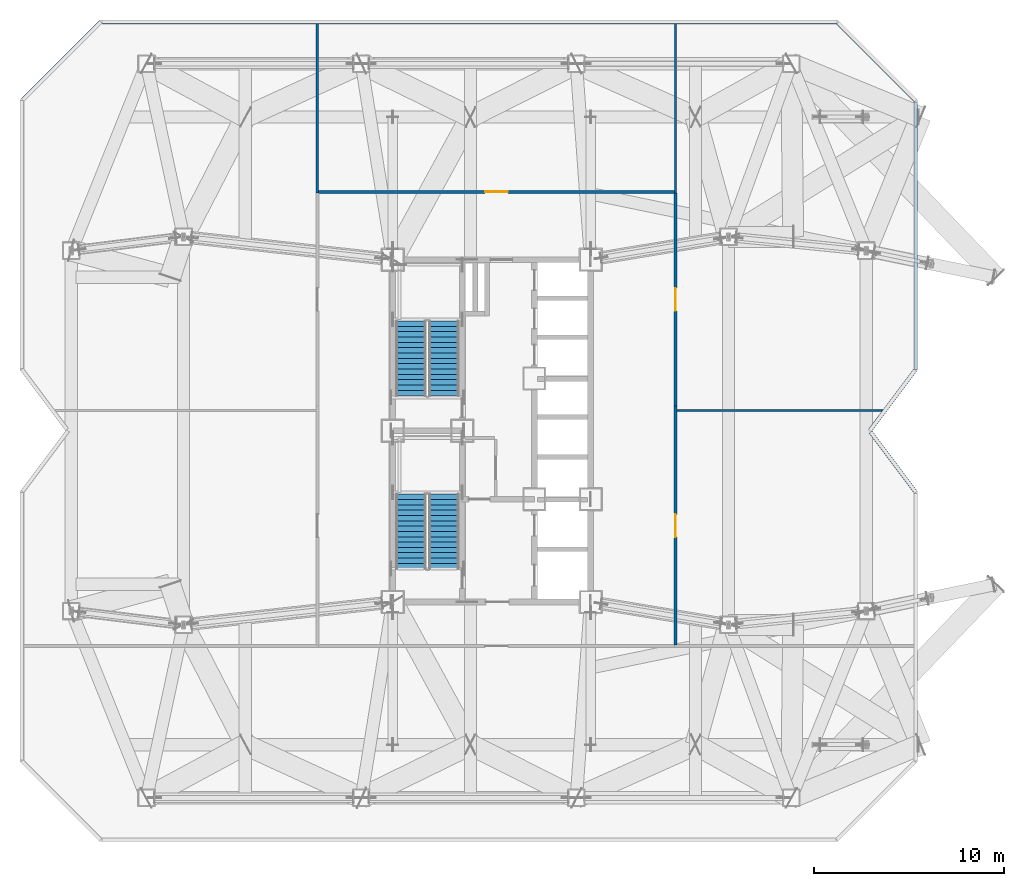
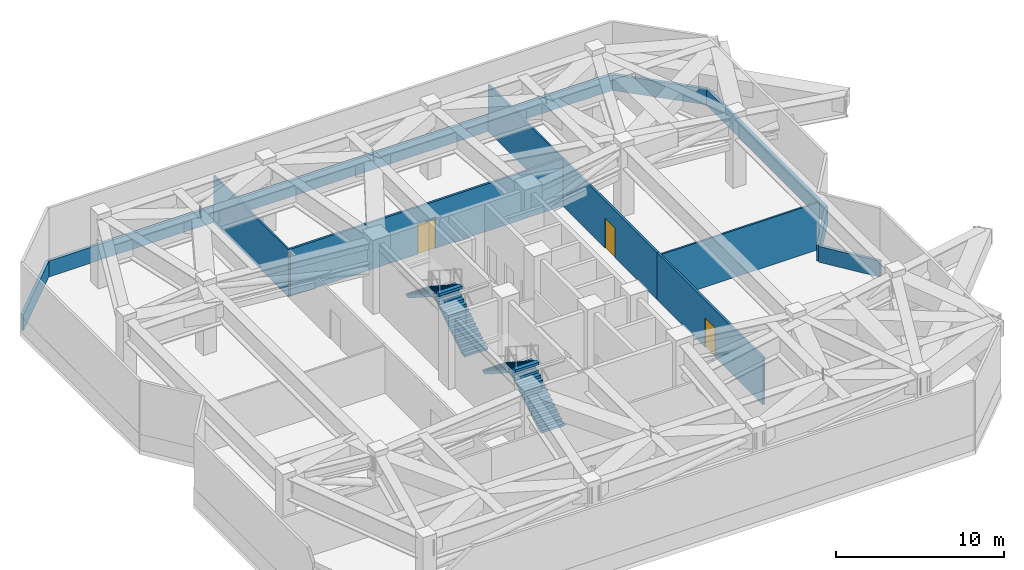
# One storey, part 16 of 19: 12 walls, 4 stair flights, 3 doors, 3 openings, 2 elements without a shape of their own.
"""IFC4 building model written with IfcOpenShell, lengths in metres."""

import ifcopenshell
import ifcopenshell.guid

model = None  # the IFC model being written
_history = None  # IfcOwnerHistory: only IFC2X3 demands one
_inside = {}  # id of a spatial element -> (the spatial element, [elements in it])
_under = {}  # id of a project, library or spatial element -> (it, [spatial elements below it])
_declared = {}  # id of a project -> (the project, [libraries it declares])
_typed = {}  # id of a type object -> (the type object, [elements of that type])
_made_of = {}  # id of a material, layer set ... -> (it, [elements and type objects made of it])


def new_model(schema):
    """Start an empty IFC model of exactly this schema.

    Asked for "IFC4X3", IfcOpenShell would pick the latest addendum, in which some entities
    have other attributes; the version numbers below select the first issue.
    IFC2X3 requires an IfcOwnerHistory on every rooted entity: one is made here for all.
    """
    global model, _history
    if schema == "IFC4X3":
        model = ifcopenshell.file(schema_version=(4, 3, 0, 0))
    else:
        model = ifcopenshell.file(schema=schema)
    _inside.clear()
    _under.clear()
    _declared.clear()
    _typed.clear()
    _made_of.clear()
    _history = None
    if model.schema == "IFC2X3":
        org = make("IfcOrganization", Name="unknown")
        user = make(
            "IfcPersonAndOrganization",
            ThePerson=make("IfcPerson", FamilyName="unknown"),
            TheOrganization=org,
        )
        app = make(
            "IfcApplication",
            ApplicationDeveloper=org,
            Version="unknown",
            ApplicationFullName="unknown",
            ApplicationIdentifier="unknown",
        )
        _history = make(
            "IfcOwnerHistory",
            OwningUser=user,
            OwningApplication=app,
            ChangeAction="ADDED",
            CreationDate=0,
        )
    return model


def make(cls, **values):
    """One entity of the class cls with the attributes given. An attribute that is None is left unset."""
    return model.create_entity(
        cls, **{name: value for name, value in values.items() if value is not None}
    )


def rooted(cls, **values):
    """An entity with a GlobalId (a new one), such as an element, a storey or a relation."""
    return make(cls, GlobalId=ifcopenshell.guid.new(), OwnerHistory=_history, **values)


def si_unit(unit_type, name, prefix=None):
    """IfcSIUnit, for example si_unit("LENGTHUNIT", "METRE", prefix="MILLI")."""
    return make("IfcSIUnit", UnitType=unit_type, Prefix=prefix, Name=name)


def assignment(units):
    """IfcUnitAssignment: the units of a project."""
    return None if units is None else make("IfcUnitAssignment", Units=units)


def point(xyz):
    """IfcCartesianPoint."""
    return None if xyz is None else make("IfcCartesianPoint", Coordinates=xyz)


def direction(xyz):
    """IfcDirection."""
    return None if xyz is None else make("IfcDirection", DirectionRatios=xyz)


def frame(location, z_axis=None, x_axis=None):
    """IfcAxis2Placement3D, a coordinate frame: its origin and axes. An axis left out is left unset."""
    return make(
        "IfcAxis2Placement3D",
        Location=point(location),
        Axis=direction(z_axis),
        RefDirection=direction(x_axis),
    )


def frame_2d(location, x_axis=None):
    """IfcAxis2Placement2D, a coordinate frame in the plane: its origin and x axis."""
    return make(
        "IfcAxis2Placement2D", Location=point(location), RefDirection=direction(x_axis)
    )


def origin():
    """The frame at (0, 0, 0) with its axes left unset."""
    return frame((0.0, 0.0, 0.0))


def place(relative_to, where):
    """IfcLocalPlacement: puts the frame where relative to a parent placement (None: the world)."""
    return make(
        "IfcLocalPlacement", PlacementRelTo=relative_to, RelativePlacement=where
    )


def context(
    kind, dimensions, precision=None, world=None, true_north=None, identifier=None
):
    """IfcGeometricRepresentationContext, for example the 3D "Model" context."""
    return make(
        "IfcGeometricRepresentationContext",
        ContextIdentifier=identifier,
        ContextType=kind,
        CoordinateSpaceDimension=dimensions,
        Precision=precision,
        WorldCoordinateSystem=world,
        TrueNorth=true_north,
    )


def subcontext(parent, identifier, kind, view, scale=None):
    """IfcGeometricRepresentationSubContext, for example "Body" below "Model"."""
    return make(
        "IfcGeometricRepresentationSubContext",
        ContextIdentifier=identifier,
        ContextType=kind,
        ParentContext=parent,
        TargetScale=scale,
        TargetView=view,
    )


def project(units=None, contexts=None):
    """IfcProject with its units and contexts."""
    return rooted(
        "IfcProject",
        Name="project",
        RepresentationContexts=contexts,
        UnitsInContext=assignment(units),
    )


def spatial(cls, under=None, at=None, **own):
    """A site, building, storey or space (cls), placed at a placement, below another one or the project."""
    s = rooted(cls, ObjectPlacement=at, **own)
    if under is not None:
        _under.setdefault(under.id(), (under, []))[1].append(s)
    return s


def polyline(points):
    """IfcPolyline through the points."""
    return make("IfcPolyline", Points=[point(p) for p in points])


def profile(cls, at=None, kind="AREA", **sizes):
    """A parametric profile (cls). Its sizes go by their IFC names, for example OverallWidth=200.0."""
    return make(cls, ProfileType=kind, Position=at, **sizes)


def rectangle(**sizes):
    """IfcRectangleProfileDef."""
    return profile("IfcRectangleProfileDef", **sizes)


def outline(outer, holes=None, kind="AREA"):
    """IfcArbitraryClosedProfileDef: a profile drawn as a closed curve; with holes, ...WithVoids."""
    if holes is None:
        return make("IfcArbitraryClosedProfileDef", ProfileType=kind, OuterCurve=outer)
    return make(
        "IfcArbitraryProfileDefWithVoids",
        ProfileType=kind,
        OuterCurve=outer,
        InnerCurves=holes,
    )


def extrude(swept, where, along, depth):
    """IfcExtrudedAreaSolid: the profile swept, set in the frame where, extruded along a direction by depth."""
    return make(
        "IfcExtrudedAreaSolid",
        SweptArea=swept,
        Position=where,
        ExtrudedDirection=direction(along),
        Depth=depth,
    )


def shape(context_of_items, identifier, shape_type, items):
    """IfcShapeRepresentation: the items that make up one representation, for example the "Body"."""
    return make(
        "IfcShapeRepresentation",
        ContextOfItems=context_of_items,
        RepresentationIdentifier=identifier,
        RepresentationType=shape_type,
        Items=items,
    )


def material(Name=None, Category=None):
    """IfcMaterial."""
    return make("IfcMaterial", Name=Name, Category=Category)


def layer(
    of_material, thickness, ventilated=None, Name=None, Category=None, Priority=None
):
    """IfcMaterialLayer: one layer of a wall or slab, of a material (None: an air gap)."""
    return make(
        "IfcMaterialLayer",
        Material=of_material,
        LayerThickness=thickness,
        IsVentilated=ventilated,
        Name=Name,
        Category=Category,
        Priority=Priority,
    )


def layer_set(layers, Name=None):
    """IfcMaterialLayerSet."""
    return make("IfcMaterialLayerSet", MaterialLayers=layers, LayerSetName=Name)


def made_of(thing, what):
    """Note that an element or type object is made of a material, layer set ...; save() writes the relation."""
    if what is not None:
        _made_of.setdefault(what.id(), (what, []))[1].append(thing)
    return thing


def type_object(cls, material=None, **own):
    """A type object (cls), such as IfcWallType, which elements share."""
    return made_of(rooted(cls, **own), material)


def element(
    cls,
    number,
    at=None,
    inside=None,
    cuts=None,
    type_object=None,
    material=None,
    context=None,
    identifier="Body",
    shape_type=None,
    held_by="IfcProductDefinitionShape",
    body=None,
    shapes=None,
    **own,
):
    """One element of the class cls, such as IfcWall. Its Tag is "e" and its number.

    at: its placement. inside: the storey or other place that contains it. cuts: it is an
    opening in that element (IfcRelVoidsElement). A single representation is given by context,
    identifier, shape_type and body (its items); several are given by shapes. held_by: the class
    of the entity that holds the representations. save() writes the other relations.
    """
    e = rooted(cls, Tag="e%d" % number, ObjectPlacement=at, **own)
    if body is not None:
        shapes = [shape(context, identifier, shape_type, body)]
    if shapes is not None:
        e.Representation = make(held_by, Representations=shapes)
    if inside is not None:
        _inside.setdefault(inside.id(), (inside, []))[1].append(e)
    if cuts is not None:
        rooted(
            "IfcRelVoidsElement", RelatingBuildingElement=cuts, RelatedOpeningElement=e
        )
    if type_object is not None:
        _typed.setdefault(type_object.id(), (type_object, []))[1].append(e)
    return made_of(e, material)


def fill(opening, filler):
    """IfcRelFillsElement: the door or window that sits in an opening."""
    return rooted(
        "IfcRelFillsElement",
        RelatingOpeningElement=opening,
        RelatedBuildingElement=filler,
    )


def aggregate(whole, parts):
    """IfcRelAggregates: a whole, such as a stair, and the parts it consists of."""
    return rooted("IfcRelAggregates", RelatingObject=whole, RelatedObjects=parts)


def save(model, path):
    """Write the relations noted so far, then the file.

    IfcRelAggregates (storeys below a building ...), IfcRelContainedInSpatialStructure (elements
    in a storey), IfcRelDefinesByType, IfcRelAssociatesMaterial and IfcRelDeclares: one each for
    every whole, place, type object, material and project.
    """
    for whole, parts in _under.values():
        aggregate(whole, parts)
    for where, things in _inside.values():
        rooted(
            "IfcRelContainedInSpatialStructure",
            RelatedElements=things,
            RelatingStructure=where,
        )
    for kind, things in _typed.values():
        rooted("IfcRelDefinesByType", RelatedObjects=things, RelatingType=kind)
    for what, things in _made_of.values():
        rooted("IfcRelAssociatesMaterial", RelatedObjects=things, RelatingMaterial=what)
    for by, libraries in _declared.values():
        rooted("IfcRelDeclares", RelatingContext=by, RelatedDefinitions=libraries)
    model.write(path)


model = new_model("IFC4")

# Units and contexts
model_context = context("Model", 3, precision=1e-05, world=origin(), true_north=direction((0.0, 1.0)))
body_context = subcontext(model_context, "Body", "Model", "MODEL_VIEW")
ifc_project = project(units=[si_unit("LENGTHUNIT", "METRE"), si_unit("AREAUNIT", "SQUARE_METRE"), si_unit("VOLUMEUNIT", "CUBIC_METRE"), si_unit("PLANEANGLEUNIT", "RADIAN"), si_unit("MASSUNIT", "GRAM", prefix="KILO")], contexts=[model_context])

# Site, building, storey
site_placement = place(None, origin())
site = spatial("IfcSite", under=ifc_project, at=site_placement, CompositionType="ELEMENT")
building_placement = place(site_placement, origin())
building = spatial("IfcBuilding", under=site, at=building_placement, Name="Khamvora Tower", CompositionType="ELEMENT")
storey_placement = place(building_placement, frame((0.0, 0.0, 150.5)))
storey = spatial("IfcBuildingStorey", under=building, at=storey_placement, Name="L38", CompositionType="ELEMENT", Elevation=150.5)

# Wall, opening, door
ifc_material_1 = material(Name="Fire-Rated Drywall and Steel Stud", Category="steel")
ifc_layer_1 = layer(ifc_material_1, 0.14990234375)
ifc_layer_set_1 = layer_set([ifc_layer_1], Name="Fire-Rated Drywall and Steel Stud")
wall_type_1 = type_object("IfcWallType", Name="WAL-CORR-150", PredefinedType="STANDARD", material=ifc_layer_set_1)
wall_1_placement = place(storey_placement, frame((43.864990234375, 29.31396484375, 0.0), z_axis=(0.0, 0.0, 1.0), x_axis=(0.0, -1.0, 0.0)))
wall_1 = element("IfcWall", 1, at=wall_1_placement, inside=storey, type_object=wall_type_1, Name="L38 interior partition wall 006", PredefinedType="STANDARD", context=body_context, shape_type="SweptSolid", body=[
    extrude(rectangle(XDim=12.56396484375, YDim=0.14990234375, at=frame_2d((6.281982421875, 0.0))), origin(), (0.0, 0.0, 1.0), 3.419921875),
])
opening_1_placement = place(wall_1_placement, frame((5.702880859375, 0.0, 0.0)))
opening_1 = element("IfcOpeningElement", 2, at=opening_1_placement, cuts=wall_1, Name="Opening D-PL1", PredefinedType="OPENING", context=body_context, shape_type="SweptSolid", body=[
    extrude(rectangle(XDim=1.199951171875, YDim=2.14990234375, at=frame_2d((0.60009765625, 1.074951171875))), frame((0.0, 0.0849609375, 0.0), z_axis=(0.0, -1.0, 0.0), x_axis=(1.0, 0.0, 0.0)), (0.0, 0.0, 1.0), 0.169921875),
])
ifc_material_2 = material(Name="Powder-Coated Steel and Hardwood Leaf", Category="steel")
door_type = type_object("IfcDoorType", Name="DOR-PLNT-1200", OperationType="NOTDEFINED", PredefinedType="DOOR", material=ifc_material_2)
door_1_placement = place(opening_1_placement, origin())
door_1 = element("IfcDoor", 3, at=door_1_placement, inside=storey, type_object=door_type, Name="L38 interior door PCOR-CHL", OperationType="SINGLE_SWING_RIGHT", OverallHeight=2.14990234375, OverallWidth=1.199951171875, PredefinedType="DOOR", context=body_context, shape_type="SweptSolid", body=[
    extrude(rectangle(XDim=1.199951171875, YDim=2.14990234375, at=frame_2d((0.60009765625, 1.074951171875))), frame((0.0, 0.02490234375, 0.0), z_axis=(0.0, -1.0, 0.0), x_axis=(1.0, 0.0, 0.0)), (0.0, 0.0, 1.0), 0.050048828125),
])
fill(opening_1, door_1)

wall_2_placement = place(storey_placement, frame((43.864990234375, 40.5, 0.0), z_axis=(0.0, 0.0, 1.0), x_axis=(0.0, -1.0, 0.0)))
wall_2 = element("IfcWall", 4, at=wall_2_placement, inside=storey, type_object=wall_type_1, Name="L38 interior partition wall 007", PredefinedType="STANDARD", context=body_context, shape_type="SweptSolid", body=[
    extrude(rectangle(XDim=11.18603515625, YDim=0.14990234375, at=frame_2d((5.593017578125, 0.0))), origin(), (0.0, 0.0, 1.0), 3.419921875),
])
opening_2_placement = place(wall_2_placement, frame((4.992919921875, 0.0, 0.0)))
opening_2 = element("IfcOpeningElement", 5, at=opening_2_placement, cuts=wall_2, Name="Opening D-PL1", PredefinedType="OPENING", context=body_context, shape_type="SweptSolid", body=[
    extrude(rectangle(XDim=1.199951171875, YDim=2.14990234375, at=frame_2d((0.60009765625, 1.074951171875))), frame((0.0, 0.0849609375, 0.0), z_axis=(0.0, -1.0, 0.0), x_axis=(1.0, 0.0, 0.0)), (0.0, 0.0, 1.0), 0.169921875),
])
door_2_placement = place(opening_2_placement, origin())
door_2 = element("IfcDoor", 6, at=door_2_placement, inside=storey, type_object=door_type, Name="L38 interior door PCOR-ELP", OperationType="SINGLE_SWING_LEFT", OverallHeight=2.14990234375, OverallWidth=1.199951171875, PredefinedType="DOOR", context=body_context, shape_type="SweptSolid", body=[
    extrude(rectangle(XDim=1.199951171875, YDim=2.14990234375, at=frame_2d((0.60009765625, 1.074951171875))), frame((0.0, 0.02490234375, 0.0), z_axis=(0.0, -1.0, 0.0), x_axis=(1.0, 0.0, 0.0)), (0.0, 0.0, 1.0), 0.050048828125),
])
fill(opening_2, door_2)

wall_3_placement = place(storey_placement, frame((25.10009765625, 40.56494140625, 0.0), z_axis=(0.0, 0.0, 1.0), x_axis=(1.0, 0.0, 0.0)))
wall_3 = element("IfcWall", 7, at=wall_3_placement, inside=storey, type_object=wall_type_1, Name="L38 interior partition wall 008", PredefinedType="STANDARD", context=body_context, shape_type="SweptSolid", body=[
    extrude(rectangle(XDim=18.699951171875, YDim=0.14990234375, at=frame_2d((9.35009765625, 0.0))), origin(), (0.0, 0.0, 1.0), 3.419921875),
])
opening_3_placement = place(wall_3_placement, frame((8.75, 0.0, 0.0)))
opening_3 = element("IfcOpeningElement", 8, at=opening_3_placement, cuts=wall_3, Name="Opening D-PL1", PredefinedType="OPENING", context=body_context, shape_type="SweptSolid", body=[
    extrude(rectangle(XDim=1.199951171875, YDim=2.14990234375, at=frame_2d((0.60009765625, 1.074951171875))), frame((0.0, 0.0849609375, 0.0), z_axis=(0.0, -1.0, 0.0), x_axis=(1.0, 0.0, 0.0)), (0.0, 0.0, 1.0), 0.169921875),
])
door_3_placement = place(opening_3_placement, origin())
door_3 = element("IfcDoor", 9, at=door_3_placement, inside=storey, type_object=door_type, Name="L38 interior door PCOR-BMS", OperationType="SINGLE_SWING_RIGHT", OverallHeight=2.14990234375, OverallWidth=1.199951171875, PredefinedType="DOOR", context=body_context, shape_type="SweptSolid", body=[
    extrude(rectangle(XDim=1.199951171875, YDim=2.14990234375, at=frame_2d((0.60009765625, 1.074951171875))), frame((0.0, 0.02490234375, 0.0), z_axis=(0.0, -1.0, 0.0), x_axis=(1.0, 0.0, 0.0)), (0.0, 0.0, 1.0), 0.050048828125),
])
fill(opening_3, door_3)

# Walls
ifc_material_3 = material(Name="Precast concrete C40/50", Category="concrete")
ifc_layer_2 = layer(ifc_material_3, 0.199951171875)
ifc_layer_set_2 = layer_set([ifc_layer_2], Name="Precast concrete C40/50")
wall_type_2 = type_object("IfcWallType", Name="WAL-EXT-200", PredefinedType="STANDARD", material=ifc_layer_set_2)
wall_4_placement = place(storey_placement, frame((9.5439453125, 45.403076171875, 0.0), z_axis=(0.0, 0.0, 1.0), x_axis=(0.707127848917, 0.707085712828, 0.0)))
element("IfcWall", 10, at=wall_4_placement, inside=storey, type_object=wall_type_2, Name="L38 plant perimeter spandrel wall 06.1", PredefinedType="STANDARD", context=body_context, shape_type="SweptSolid", body=[
    extrude(rectangle(XDim=5.794189453125, YDim=0.199951171875, at=frame_2d((2.89697265625, 0.0))), origin(), (0.0, 0.0, 1.0), 1.14990234375),
])
wall_5_placement = place(storey_placement, frame((13.701904296875, 49.5, 0.0), z_axis=(0.0, 0.0, 1.0), x_axis=(1.0, 0.0, 0.0)))
element("IfcWall", 11, at=wall_5_placement, inside=storey, type_object=wall_type_2, Name="L38 plant perimeter spandrel wall 07.1", PredefinedType="STANDARD", context=body_context, shape_type="SweptSolid", body=[
    extrude(rectangle(XDim=38.656982421875, YDim=0.199951171875, at=frame_2d((19.32861328125, 0.0))), origin(), (0.0, 0.0, 1.0), 1.14990234375),
])
wall_6_placement = place(storey_placement, frame((52.404052734375, 49.455078125, 0.0), z_axis=(0.0, 0.0, 1.0), x_axis=(0.707085707805, -0.70712785394, 0.0)))
element("IfcWall", 12, at=wall_6_placement, inside=storey, type_object=wall_type_2, Name="L38 plant perimeter spandrel wall 08.1", PredefinedType="STANDARD", context=body_context, shape_type="SweptSolid", body=[
    extrude(rectangle(XDim=5.792724609375, YDim=0.199951171875, at=frame_2d((2.896484375, 0.0))), origin(), (0.0, 0.0, 1.0), 1.14990234375),
])
wall_7_placement = place(storey_placement, frame((56.5, 45.2958984375, 0.0), z_axis=(0.0, 0.0, 1.0), x_axis=(0.0, -1.0, 0.0)))
element("IfcWall", 13, at=wall_7_placement, inside=storey, type_object=wall_type_2, Name="L38 plant perimeter spandrel wall 09.1", PredefinedType="STANDARD", context=body_context, shape_type="SweptSolid", body=[
    extrude(rectangle(XDim=14.06298828125, YDim=0.199951171875, at=frame_2d((7.031494140625, 0.0))), origin(), (0.0, 0.0, 1.0), 1.14990234375),
])
wall_8_placement = place(storey_placement, frame((56.468994140625, 31.19091796875, 0.0), z_axis=(0.0, 0.0, 1.0), x_axis=(-0.600137081448, -0.799897170561, 0.0)))
element("IfcWall", 14, at=wall_8_placement, inside=storey, type_object=wall_type_2, Name="L38 plant perimeter spandrel wall 10.1", PredefinedType="STANDARD", context=body_context, shape_type="SweptSolid", body=[
    extrude(rectangle(XDim=3.9892578125, YDim=0.199951171875, at=frame_2d((1.99462890625, 0.0))), origin(), (0.0, 0.0, 1.0), 1.14990234375),
])
wall_9_placement = place(storey_placement, frame((54.126953125, 27.930908203125, 0.0), z_axis=(0.0, 0.0, 1.0), x_axis=(0.600029630681, -0.799977776132, 0.0)))
element("IfcWall", 15, at=wall_9_placement, inside=storey, type_object=wall_type_2, Name="L38 plant perimeter spandrel wall 11.1", PredefinedType="STANDARD", context=body_context, shape_type="SweptSolid", body=[
    extrude(rectangle(XDim=3.954833984375, YDim=0.199951171875, at=frame_2d((1.9775390625, 0.0))), origin(), (0.0, 0.0, 1.0), 1.14990234375),
])
ifc_material_4 = material(Name="Gypsum Plasterboard Partition", Category="gypsum")
ifc_layer_3 = layer(ifc_material_4, 0.1201171875)
ifc_layer_set_3 = layer_set([ifc_layer_3], Name="Gypsum Plasterboard Partition")
wall_type_3 = type_object("IfcWallType", Name="WAL-PART-120", PredefinedType="PARTITIONING", material=ifc_layer_set_3)
wall_10_placement = place(storey_placement, frame((25.034912109375, 49.407958984375, 0.0), z_axis=(0.0, 0.0, 1.0), x_axis=(0.0, -1.0, 0.0)))
element("IfcWall", 16, at=wall_10_placement, inside=storey, type_object=wall_type_3, Name="L38 interior partition wall 012", PredefinedType="PARTITIONING", context=body_context, shape_type="SweptSolid", body=[
    extrude(rectangle(XDim=8.907958984375, YDim=0.1201171875, at=frame_2d((4.4541015625, 0.0))), origin(), (0.0, 0.0, 1.0), 3.419921875),
])
wall_11_placement = place(storey_placement, frame((43.931884765625, 29.06494140625, 0.0), z_axis=(0.0, 0.0, 1.0), x_axis=(1.0, 0.0, 0.0)))
element("IfcWall", 17, at=wall_11_placement, inside=storey, type_object=wall_type_3, Name="L38 interior partition wall 013", PredefinedType="PARTITIONING", context=body_context, shape_type="SweptSolid", body=[
    extrude(rectangle(XDim=10.838134765625, YDim=0.1201171875, at=frame_2d((5.4189453125, 0.0))), origin(), (0.0, 0.0, 1.0), 3.419921875),
])
wall_12_placement = place(storey_placement, frame((43.864990234375, 40.5, 0.0), z_axis=(0.0, 0.0, 1.0), x_axis=(0.0, 1.0, 0.0)))
element("IfcWall", 18, at=wall_12_placement, inside=storey, type_object=wall_type_3, Name="L38 interior partition wall 014", PredefinedType="PARTITIONING", context=body_context, shape_type="SweptSolid", body=[
    extrude(rectangle(XDim=8.907958984375, YDim=0.1201171875, at=frame_2d((4.4541015625, 0.0))), origin(), (0.0, 0.0, 1.0), 3.419921875),
])

# Stair, stair flights
ifc_material_5 = material(Name="Concrete C40/50", Category="concrete")
stair_type_1 = type_object("IfcStairType", Name="STR-ST-01", PredefinedType="HALF_TURN_STAIR", material=ifc_material_5)
stair_1_placement = place(storey_placement, origin())
stair_1 = element("IfcStair", 19, at=stair_1_placement, inside=storey, type_object=stair_type_1, Name="L38 South Tower Exit Stair ST-01", PredefinedType="HALF_TURN_STAIR")
stair_flight_type_1 = type_object("IfcStairFlightType", Name="STF-ST-01", PredefinedType="STRAIGHT", material=ifc_material_5)
stair_flight_1_placement = place(storey_placement, frame((31.699951171875, 20.75, 0.0), z_axis=(0.0, 0.0, 1.0), x_axis=(0.0, 1.0, 0.0)))
stair_flight_1 = element("IfcStairFlight", 20, at=stair_flight_1_placement, type_object=stair_flight_type_1, Name="ST-01 flight 1", NumberOfRisers=15, NumberOfTreads=14, PredefinedType="STRAIGHT", RiserHeight=0.18, TreadLength=0.28, context=body_context, shape_type="SweptSolid", body=[
    extrude(outline(polyline([(0.0, 0.0), (0.0, 0.179931640625), (0.280029296875, 0.179931640625), (0.280029296875, 0.360107421875), (0.56005859375, 0.360107421875), (0.56005859375, 0.5400390625), (0.840087890625, 0.5400390625), (0.840087890625, 0.719970703125), (1.1201171875, 0.719970703125), (1.1201171875, 0.89990234375), (1.39990234375, 0.89990234375), (1.39990234375, 1.080078125), (1.679931640625, 1.080078125), (1.679931640625, 1.260009765625), (1.9599609375, 1.260009765625), (1.9599609375, 1.43994140625), (2.239990234375, 1.43994140625), (2.239990234375, 1.6201171875), (2.52001953125, 1.6201171875), (2.52001953125, 1.800048828125), (2.800048828125, 1.800048828125), (2.800048828125, 1.97998046875), (3.080078125, 1.97998046875), (3.080078125, 2.159912109375), (3.360107421875, 2.159912109375), (3.360107421875, 2.340087890625), (3.639892578125, 2.340087890625), (3.639892578125, 2.52001953125), (3.919921875, 2.52001953125), (3.919921875, 2.699951171875), (3.919921875, 2.341796875), (0.277099609375, 0.0), (0.0, 0.0)])), frame((0.0, 0.800048828125, 0.0), z_axis=(0.0, -1.0, 0.0), x_axis=(1.0, 0.0, 0.0)), (0.0, 0.0, 1.0), 1.60009765625),
])
stair_flight_2_placement = place(storey_placement, frame((29.949951171875, 24.669921875, 2.699951171875), z_axis=(0.0, 0.0, 1.0), x_axis=(0.0, -1.0, 0.0)))
stair_flight_2 = element("IfcStairFlight", 21, at=stair_flight_2_placement, type_object=stair_flight_type_1, Name="ST-01 flight 2", NumberOfRisers=15, NumberOfTreads=14, PredefinedType="STRAIGHT", RiserHeight=0.18, TreadLength=0.28, context=body_context, shape_type="SweptSolid", body=[
    extrude(outline(polyline([(0.0, 0.0), (0.0, 0.179931640625), (0.280029296875, 0.179931640625), (0.280029296875, 0.360107421875), (0.56005859375, 0.360107421875), (0.56005859375, 0.5400390625), (0.840087890625, 0.5400390625), (0.840087890625, 0.719970703125), (1.1201171875, 0.719970703125), (1.1201171875, 0.89990234375), (1.39990234375, 0.89990234375), (1.39990234375, 1.080078125), (1.679931640625, 1.080078125), (1.679931640625, 1.260009765625), (1.9599609375, 1.260009765625), (1.9599609375, 1.43994140625), (2.239990234375, 1.43994140625), (2.239990234375, 1.6201171875), (2.52001953125, 1.6201171875), (2.52001953125, 1.800048828125), (2.800048828125, 1.800048828125), (2.800048828125, 1.97998046875), (3.080078125, 1.97998046875), (3.080078125, 2.159912109375), (3.360107421875, 2.159912109375), (3.360107421875, 2.340087890625), (3.639892578125, 2.340087890625), (3.639892578125, 2.52001953125), (3.919921875, 2.52001953125), (3.919921875, 2.699951171875), (3.919921875, 2.341796875), (0.277099609375, 0.0), (0.0, 0.0)])), frame((0.0, 0.800048828125, 0.0), z_axis=(0.0, -1.0, 0.0), x_axis=(1.0, 0.0, 0.0)), (0.0, 0.0, 1.0), 1.60009765625),
])
aggregate(stair_1, [stair_flight_1, stair_flight_2])

stair_type_2 = type_object("IfcStairType", Name="STR-ST-02", PredefinedType="HALF_TURN_STAIR", material=ifc_material_5)
stair_2_placement = place(storey_placement, origin())
stair_2 = element("IfcStair", 22, at=stair_2_placement, inside=storey, type_object=stair_type_2, Name="L38 North Tower Exit Stair ST-02", PredefinedType="HALF_TURN_STAIR")
stair_flight_type_2 = type_object("IfcStairFlightType", Name="STF-ST-02", PredefinedType="STRAIGHT", material=ifc_material_5)
stair_flight_3_placement = place(storey_placement, frame((31.699951171875, 29.85009765625, 0.0), z_axis=(0.0, 0.0, 1.0), x_axis=(0.0, 1.0, 0.0)))
stair_flight_3 = element("IfcStairFlight", 23, at=stair_flight_3_placement, type_object=stair_flight_type_2, Name="ST-02 flight 1", NumberOfRisers=15, NumberOfTreads=14, PredefinedType="STRAIGHT", RiserHeight=0.18, TreadLength=0.28, context=body_context, shape_type="SweptSolid", body=[
    extrude(outline(polyline([(0.0, 0.0), (0.0, 0.179931640625), (0.280029296875, 0.179931640625), (0.280029296875, 0.360107421875), (0.56005859375, 0.360107421875), (0.56005859375, 0.5400390625), (0.840087890625, 0.5400390625), (0.840087890625, 0.719970703125), (1.1201171875, 0.719970703125), (1.1201171875, 0.89990234375), (1.39990234375, 0.89990234375), (1.39990234375, 1.080078125), (1.679931640625, 1.080078125), (1.679931640625, 1.260009765625), (1.9599609375, 1.260009765625), (1.9599609375, 1.43994140625), (2.239990234375, 1.43994140625), (2.239990234375, 1.6201171875), (2.52001953125, 1.6201171875), (2.52001953125, 1.800048828125), (2.800048828125, 1.800048828125), (2.800048828125, 1.97998046875), (3.080078125, 1.97998046875), (3.080078125, 2.159912109375), (3.360107421875, 2.159912109375), (3.360107421875, 2.340087890625), (3.639892578125, 2.340087890625), (3.639892578125, 2.52001953125), (3.919921875, 2.52001953125), (3.919921875, 2.699951171875), (3.919921875, 2.341796875), (0.277099609375, 0.0), (0.0, 0.0)])), frame((0.0, 0.800048828125, 0.0), z_axis=(0.0, -1.0, 0.0), x_axis=(1.0, 0.0, 0.0)), (0.0, 0.0, 1.0), 1.60009765625),
])
stair_flight_4_placement = place(storey_placement, frame((29.949951171875, 33.77001953125, 2.699951171875), z_axis=(0.0, 0.0, 1.0), x_axis=(0.0, -1.0, 0.0)))
stair_flight_4 = element("IfcStairFlight", 24, at=stair_flight_4_placement, type_object=stair_flight_type_2, Name="ST-02 flight 2", NumberOfRisers=15, NumberOfTreads=14, PredefinedType="STRAIGHT", RiserHeight=0.18, TreadLength=0.28, context=body_context, shape_type="SweptSolid", body=[
    extrude(outline(polyline([(0.0, 0.0), (0.0, 0.179931640625), (0.280029296875, 0.179931640625), (0.280029296875, 0.360107421875), (0.56005859375, 0.360107421875), (0.56005859375, 0.5400390625), (0.840087890625, 0.5400390625), (0.840087890625, 0.719970703125), (1.1201171875, 0.719970703125), (1.1201171875, 0.89990234375), (1.39990234375, 0.89990234375), (1.39990234375, 1.080078125), (1.679931640625, 1.080078125), (1.679931640625, 1.260009765625), (1.9599609375, 1.260009765625), (1.9599609375, 1.43994140625), (2.239990234375, 1.43994140625), (2.239990234375, 1.6201171875), (2.52001953125, 1.6201171875), (2.52001953125, 1.800048828125), (2.800048828125, 1.800048828125), (2.800048828125, 1.97998046875), (3.080078125, 1.97998046875), (3.080078125, 2.159912109375), (3.360107421875, 2.159912109375), (3.360107421875, 2.340087890625), (3.639892578125, 2.340087890625), (3.639892578125, 2.52001953125), (3.919921875, 2.52001953125), (3.919921875, 2.699951171875), (3.919921875, 2.341796875), (0.277099609375, 0.0), (0.0, 0.0)])), frame((0.0, 0.800048828125, 0.0), z_axis=(0.0, -1.0, 0.0), x_axis=(1.0, 0.0, 0.0)), (0.0, 0.0, 1.0), 1.60009765625),
])
aggregate(stair_2, [stair_flight_3, stair_flight_4])

save(model, "model.ifc")
